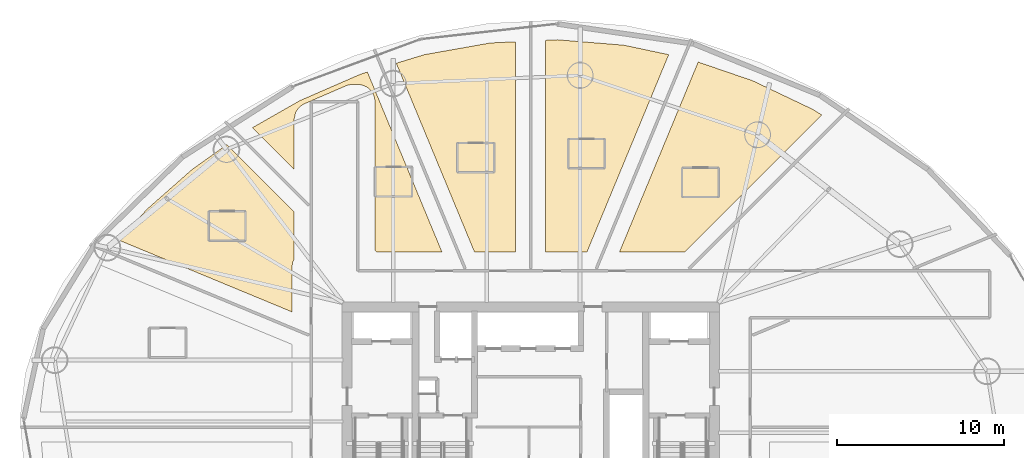
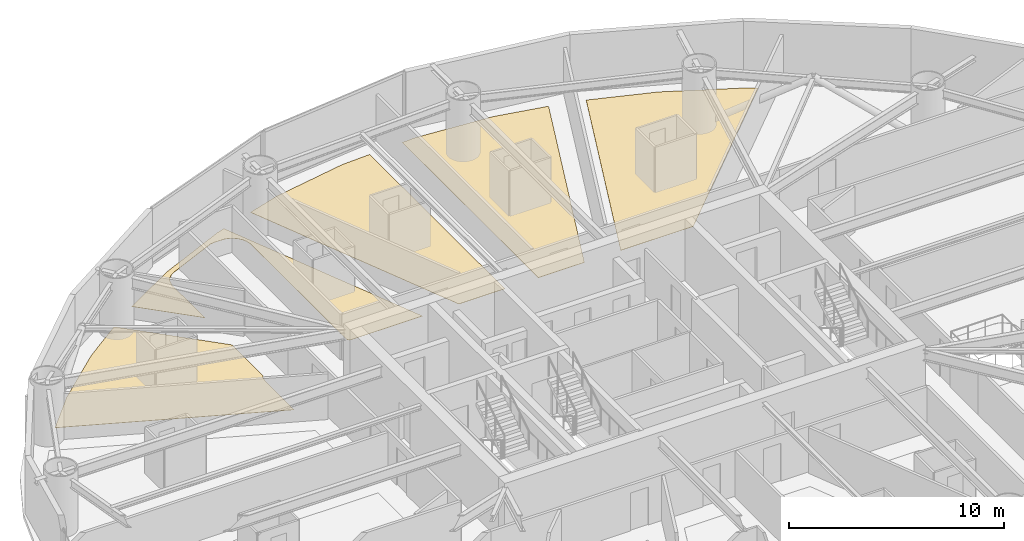
# One storey, part 27 of 27: 5 coverings.
"""IFC4 building model written with IfcOpenShell, lengths in metres."""

from ifc_helpers import new_model, si_unit, direction, frame, origin, place, context, subcontext, project, spatial, polyline, outline, extrude, material, layer, layer_set, type_object, element, save


model = new_model("IFC4")

# Units and contexts
model_context = context("Model", 3, precision=1e-05, world=origin(), true_north=direction((0.0, 1.0)))
body_context = subcontext(model_context, "Body", "Model", "MODEL_VIEW")
ifc_project = project(units=[si_unit("LENGTHUNIT", "METRE"), si_unit("AREAUNIT", "SQUARE_METRE"), si_unit("VOLUMEUNIT", "CUBIC_METRE"), si_unit("PLANEANGLEUNIT", "RADIAN"), si_unit("MASSUNIT", "GRAM", prefix="KILO")], contexts=[model_context])

# Site, building, storey
site_placement = place(None, origin())
site = spatial("IfcSite", under=ifc_project, at=site_placement, CompositionType="ELEMENT")
building_placement = place(site_placement, origin())
building = spatial("IfcBuilding", under=site, at=building_placement, Name="Bramvorn Convention Spire", CompositionType="ELEMENT")
storey_placement = place(building_placement, frame((0.0, 0.0, 41.39990234375)))
storey = spatial("IfcBuildingStorey", under=building, at=storey_placement, Name="L07", CompositionType="ELEMENT", Elevation=41.39990234375)

# Coverings
ifc_material = material(Name="Solution-Dyed Wool Broadloom Hospitality Carpet", Category="textile")
ifc_layer = layer(ifc_material, 0.014892578125)
ifc_layer_set = layer_set([ifc_layer], Name="Solution-Dyed Wool Broadloom Hospitality Carpet - FLR-CARPET-15")
covering_type = type_object("IfcCoveringType", Name="FLR-CARPET-15", PredefinedType="FLOORING", material=ifc_layer_set)
covering_1_placement = place(storey_placement, origin())
element("IfcCovering", 1, at=covering_1_placement, inside=storey, type_object=covering_type, Name="Hotel Suite 0703 wool broadloom carpet", PredefinedType="FLOORING", context=body_context, shape_type="SweptSolid", body=[
    extrude(outline(polyline([(43.323486328125, 36.5), (47.227294921875, 36.5), (55.42919921875, 44.701904296875), (54.87109375, 45.044921875), (51.289306640625, 46.749267578125), (48.03125, 47.86572265625), (43.323486328125, 36.5)])), origin(), (0.0, 0.0, 1.0), 0.01513671875),
])
covering_2_placement = place(storey_placement, origin())
element("IfcCovering", 2, at=covering_2_placement, inside=storey, type_object=covering_type, Name="Hotel Suite 0704 wool broadloom carpet", PredefinedType="FLOORING", context=body_context, shape_type="SweptSolid", body=[
    extrude(outline(polyline([(39.5849609375, 49.2021484375), (38.89990234375, 49.169189453125), (38.89990234375, 36.5), (41.375, 36.5), (46.266357421875, 48.308349609375), (43.581298828125, 48.876708984375), (39.5849609375, 49.2021484375)])), origin(), (0.0, 0.0, 1.0), 0.01513671875),
])
covering_3_placement = place(storey_placement, origin())
element("IfcCovering", 3, at=covering_3_placement, inside=storey, type_object=covering_type, Name="Hotel Suite 0705 wool broadloom carpet", PredefinedType="FLOORING", context=body_context, shape_type="SweptSolid", body=[
    extrude(outline(polyline([(31.63134765625, 48.3095703125), (29.94677734375, 47.7939453125), (34.625, 36.5), (37.10009765625, 36.5), (37.10009765625, 49.08251953125), (35.579833984375, 49.00927734375), (31.63134765625, 48.3095703125)])), origin(), (0.0, 0.0, 1.0), 0.01513671875),
])
covering_4_placement = place(storey_placement, origin())
element("IfcCovering", 4, at=covering_4_placement, inside=storey, type_object=covering_type, Name="Hotel Suite 0706 wool broadloom carpet", PredefinedType="FLOORING", context=body_context, shape_type="SweptSolid", body=[
    extrude(outline(polyline([(23.830078125, 41.44287109375), (23.83154296875, 44.487548828125), (23.922607421875, 44.85693359375), (24.082763671875, 45.104248046875), (24.2353515625, 45.24609375), (24.403076171875, 45.34912109375), (27.03466796875, 46.48486328125), (27.25341796875, 46.518798828125), (27.793701171875, 46.509765625), (27.988037109375, 46.462158203125), (28.179443359375, 46.37158203125), (28.33935546875, 46.251708984375), (28.521728515625, 46.029296875), (28.6123046875, 45.837890625), (28.668212890625, 45.555908203125), (28.669921875, 36.602783203125), (28.772705078125, 36.5), (32.676513671875, 36.5), (28.2177734375, 47.2646484375), (27.8056640625, 47.138671875), (24.169189453125, 45.553955078125), (21.334228515625, 43.938720703125), (23.830078125, 41.44287109375)])), origin(), (0.0, 0.0, 1.0), 0.01513671875),
])
covering_5_placement = place(storey_placement, origin())
element("IfcCovering", 5, at=covering_5_placement, inside=storey, type_object=covering_type, Name="Hotel Suite 0707 wool broadloom carpet", PredefinedType="FLOORING", context=body_context, shape_type="SweptSolid", body=[
    extrude(outline(polyline([(23.699951171875, 32.8974609375), (23.699951171875, 35.60009765625), (23.73876953125, 35.861328125), (23.830078125, 36.063720703125), (23.830078125, 38.897216796875), (19.802978515625, 42.924072265625), (17.72314453125, 41.438720703125), (15.033447265625, 39.068359375), (13.322998046875, 37.195556640625), (23.699951171875, 32.8974609375)])), origin(), (0.0, 0.0, 1.0), 0.01513671875),
])

save(model, "model.ifc")
